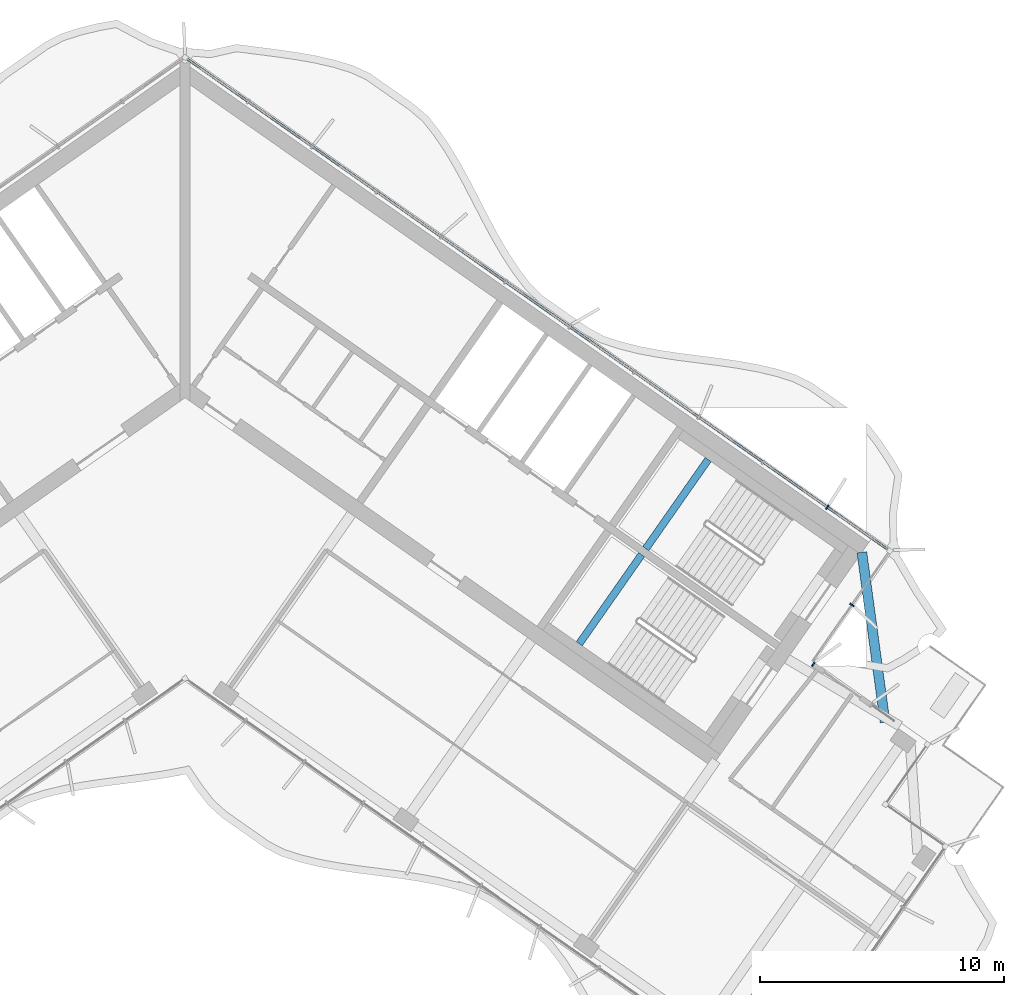
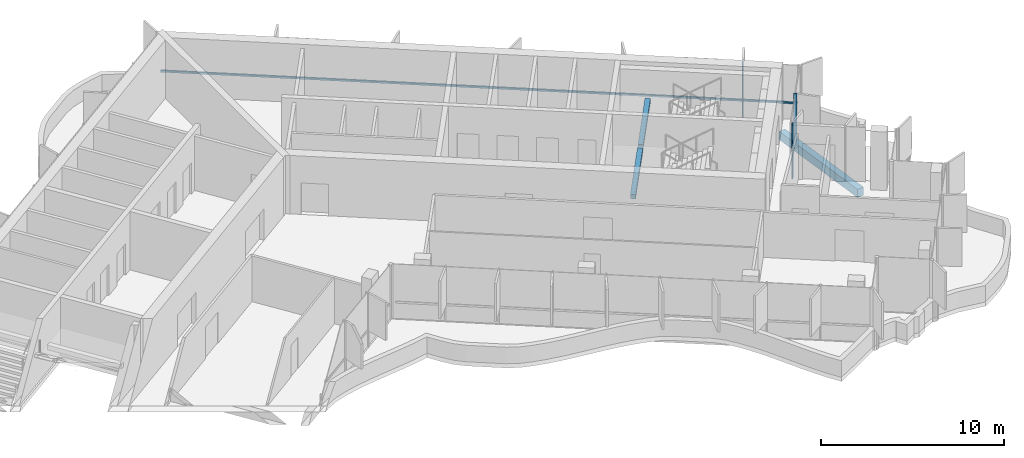
# One storey, part 5 of 20: 4 members, 3 beams, 2 elements without a shape of their own.
"""IFC4 building model written with IfcOpenShell, lengths in metres."""

from ifc_helpers import new_model, si_unit, direction, frame, origin, origin_2d, place, context, subcontext, project, spatial, rectangle, extrude, material, material_profile, profile_set, type_object, element, aggregate, save


model = new_model("IFC4")

# Units and contexts
model_context = context("Model", 3, precision=1e-05, world=origin(), true_north=direction((0.0, 1.0)))
body_context = subcontext(model_context, "Body", "Model", "MODEL_VIEW")
ifc_project = project(units=[si_unit("LENGTHUNIT", "METRE"), si_unit("AREAUNIT", "SQUARE_METRE"), si_unit("VOLUMEUNIT", "CUBIC_METRE"), si_unit("PLANEANGLEUNIT", "RADIAN"), si_unit("MASSUNIT", "GRAM", prefix="KILO")], contexts=[model_context])

# Site, building, storey
site_placement = place(None, origin())
site = spatial("IfcSite", under=ifc_project, at=site_placement, CompositionType="ELEMENT")
building_placement = place(site_placement, origin())
building = spatial("IfcBuilding", under=site, at=building_placement, Name="Tel Ilan Convention Tower", CompositionType="ELEMENT")
storey_placement = place(building_placement, frame((0.0, 0.0, 248.800048828125)))
storey = spatial("IfcBuildingStorey", under=building, at=storey_placement, Name="L58", CompositionType="ELEMENT", Elevation=248.800048828125)

# Beam
ifc_material_1 = material(Name="Concrete C40/50", Category="concrete")
ifc_material_profile_1 = material_profile(ifc_material_1, rectangle(XDim=0.39990234375, YDim=0.550048828125, at=origin_2d()), Name="RC 400x550")
ifc_profile_set_1 = profile_set([ifc_material_profile_1], Name="Concrete C40/50")
beam_type_1 = type_object("IfcBeamType", Name="Beam RC 400x550 Concrete C40/50", PredefinedType="BEAM", material=ifc_profile_set_1)
beam_1_placement = place(storey_placement, frame((28.626953125, -14.490234375, -0.554931640625), z_axis=(-0.135212654258, 0.990816601662, 0.0), x_axis=(-0.990816601662, -0.135212654258, 0.0)))
element("IfcBeam", 1, at=beam_1_placement, inside=storey, type_object=beam_type_1, Name="L58 beam E-ledge", PredefinedType="BEAM", context=body_context, shape_type="SweptSolid", body=[
    extrude(rectangle(XDim=0.39990234375, YDim=0.550048828125, at=origin_2d()), origin(), (0.0, 0.0, 1.0), 7.01123046875),
])

# Curtain wall, member
ifc_material_2 = material(Name="Aluminium, bronze anodised", Category="aluminium")
curtain_wall_type_1 = type_object("IfcCurtainWallType", Name="CW5 STICK CURTAIN WALL, UPPER OFFICE LOW-IRON TINTED GLASS", PredefinedType="NOTDEFINED", material=ifc_material_2)
curtain_wall_1_placement = place(storey_placement, origin())
curtain_wall_1 = element("IfcCurtainWall", 2, at=curtain_wall_1_placement, inside=storey, type_object=curtain_wall_type_1, Name="Curtain wall CW5-45.01", PredefinedType="NOTDEFINED")
ifc_material_3 = material(Name="Aluminium, bronze anodised", Category="aluminium")
ifc_material_profile_2 = material_profile(ifc_material_3, rectangle(XDim=0.06005859375, YDim=0.199951171875, at=origin_2d()), Name="CW MULLION 60x200")
ifc_profile_set_2 = profile_set([ifc_material_profile_2], Name="Aluminium, bronze anodised")
member_type_1 = type_object("IfcMemberType", Name="CW MULLION 60x200", PredefinedType="MULLION", material=ifc_profile_set_2)
member_1_placement = place(storey_placement, frame((25.689453125, -12.128173828125, 0.0), z_axis=(0.0, 0.0, 1.0), x_axis=(-0.819152044289, 0.573576436351, 0.0)))
member_1 = element("IfcMember", 3, at=member_1_placement, type_object=member_type_1, Name="Mullion", PredefinedType="MULLION", context=body_context, shape_type="SweptSolid", body=[
    extrude(rectangle(XDim=0.06005859375, YDim=0.199951171875, at=origin_2d()), origin(), (0.0, 0.0, 1.0), 3.619873046875),
])
aggregate(curtain_wall_1, [member_1])

# Curtain wall, members
ifc_material_4 = material(Name="Aluminium, bronze anodised", Category="aluminium")
curtain_wall_type_2 = type_object("IfcCurtainWallType", Name="CW2 STICK CURTAIN WALL, SPANDREL PANELS", PredefinedType="NOTDEFINED", material=ifc_material_4)
curtain_wall_2_placement = place(storey_placement, origin())
curtain_wall_2 = element("IfcCurtainWall", 4, at=curtain_wall_2_placement, inside=storey, type_object=curtain_wall_type_2, Name="Curtain wall CW2-45.02", PredefinedType="NOTDEFINED")
member_2_placement = place(storey_placement, frame((27.27099609375, -9.6953125, 0.0), z_axis=(0.0, 0.0, 1.0), x_axis=(0.573576436351, 0.819152044289, 0.0)))
member_2 = element("IfcMember", 5, at=member_2_placement, type_object=member_type_1, Name="Mullion", PredefinedType="MULLION", context=body_context, shape_type="SweptSolid", body=[
    extrude(rectangle(XDim=0.06005859375, YDim=0.199951171875, at=origin_2d()), origin(), (0.0, 0.0, 1.0), 3.619873046875),
])
member_3_placement = place(storey_placement, frame((26.268798828125, -5.697509765625, 0.0), z_axis=(0.0, 0.0, 1.0), x_axis=(-0.819152044289, 0.573576436351, 0.0)))
member_3 = element("IfcMember", 6, at=member_3_placement, type_object=member_type_1, Name="Mullion", PredefinedType="MULLION", context=body_context, shape_type="SweptSolid", body=[
    extrude(rectangle(XDim=0.06005859375, YDim=0.199951171875, at=origin_2d()), origin(), (0.0, 0.0, 1.0), 3.619873046875),
])
ifc_material_5 = material(Name="Aluminium, bronze anodised", Category="aluminium")
ifc_material_profile_3 = material_profile(ifc_material_5, rectangle(XDim=0.10009765625, YDim=0.1201171875, at=origin_2d()), Name="CW TRANSOM 100x120")
ifc_profile_set_3 = profile_set([ifc_material_profile_3], Name="Aluminium, bronze anodised")
member_type_2 = type_object("IfcMemberType", Name="CW TRANSOM 100x120", PredefinedType="USERDEFINED", material=ifc_profile_set_3)
member_4_placement = place(storey_placement, frame((28.737548828125, -7.42626953125, 1.099853515625), z_axis=(-0.819150201937, 0.573579067494, 0.0), x_axis=(-0.573579067494, -0.819150201937, 0.0)))
member_4 = element("IfcMember", 7, at=member_4_placement, type_object=member_type_2, Name="Transom", ObjectType="TRANSOM", PredefinedType="USERDEFINED", context=body_context, shape_type="SweptSolid", body=[
    extrude(rectangle(XDim=0.10009765625, YDim=0.1201171875, at=origin_2d()), origin(), (0.0, 0.0, 1.0), 34.9521484375),
])
aggregate(curtain_wall_2, [member_2, member_3, member_4])

# Beams
ifc_material_6 = material(Name="Concrete C40/50", Category="concrete")
ifc_material_profile_4 = material_profile(ifc_material_6, rectangle(XDim=0.300048828125, YDim=0.300048828125, at=origin_2d()), Name="RC 300x300")
ifc_profile_set_4 = profile_set([ifc_material_profile_4], Name="Concrete C40/50")
beam_type_2 = type_object("IfcBeamType", Name="Landing Beam RC 300x300 Concrete C40/50", PredefinedType="BEAM", material=ifc_profile_set_4)
beam_2_placement = place(storey_placement, frame((21.39404296875, -3.7490234375, 1.599853515625), z_axis=(-0.573547030514, -0.819172633691, 0.0), x_axis=(0.819172633691, -0.573547030514, 0.0)))
element("IfcBeam", 8, at=beam_2_placement, inside=storey, type_object=beam_type_2, Name="S3 landing beam L58.1", PredefinedType="BEAM", context=body_context, shape_type="SweptSolid", body=[
    extrude(rectangle(XDim=0.300048828125, YDim=0.300048828125, at=origin_2d()), origin(), (0.0, 0.0, 1.0), 4.449951171875),
])
beam_3_placement = place(storey_placement, frame((18.669677734375, -7.64013671875, 1.599853515625), z_axis=(-0.573583844845, -0.819146856756, 0.0), x_axis=(0.819146856756, -0.573583844845, 0.0)))
element("IfcBeam", 9, at=beam_3_placement, inside=storey, type_object=beam_type_2, Name="S4 landing beam L58.1", PredefinedType="BEAM", context=body_context, shape_type="SweptSolid", body=[
    extrude(rectangle(XDim=0.300048828125, YDim=0.300048828125, at=origin_2d()), origin(), (0.0, 0.0, 1.0), 4.4501953125),
])

save(model, "model.ifc")
